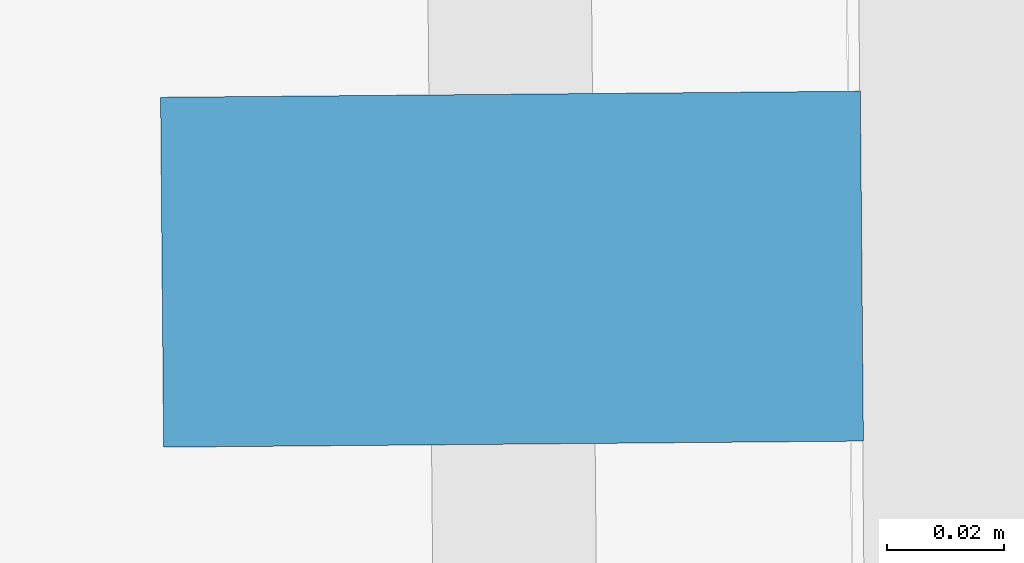
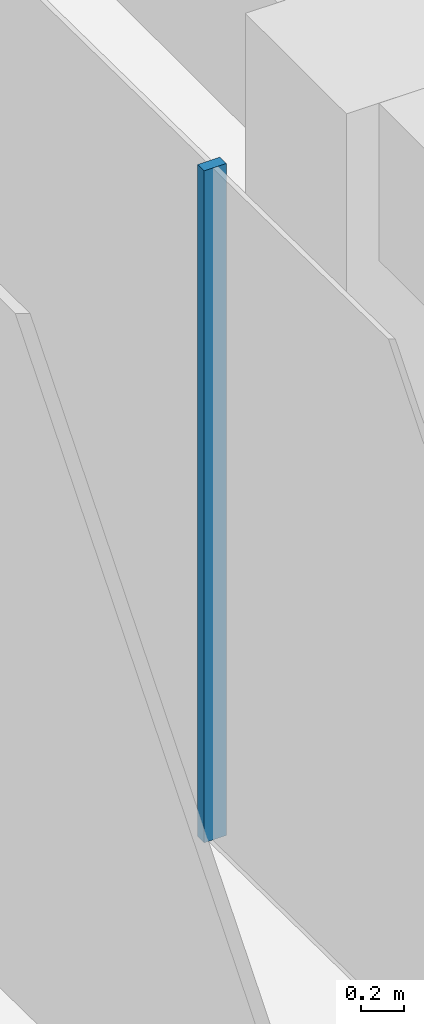
# One storey, part 14 of 28: 1 member, 1 element without a shape of its own.
"""IFC4 building model written with IfcOpenShell, lengths in metres."""

from ifc_helpers import new_model, si_unit, direction, frame, origin, origin_2d, place, context, subcontext, project, spatial, rectangle, extrude, material, layer, layer_set, material_profile, profile_set, type_object, element, aggregate, save


model = new_model("IFC4")

# Units and contexts
model_context = context("Model", 3, precision=1e-05, world=origin(), true_north=direction((0.0, 1.0)))
body_context = subcontext(model_context, "Body", "Model", "MODEL_VIEW")
ifc_project = project(units=[si_unit("LENGTHUNIT", "METRE"), si_unit("AREAUNIT", "SQUARE_METRE"), si_unit("VOLUMEUNIT", "CUBIC_METRE"), si_unit("PLANEANGLEUNIT", "RADIAN"), si_unit("MASSUNIT", "GRAM", prefix="KILO")], contexts=[model_context])

# Site, building, storey
site_placement = place(None, origin())
site = spatial("IfcSite", under=ifc_project, at=site_placement, CompositionType="ELEMENT")
building_placement = place(site_placement, origin())
building = spatial("IfcBuilding", under=site, at=building_placement, Name="Welwitschia Terrace Campus", CompositionType="ELEMENT")
storey_placement = place(building_placement, frame((0.0, 0.0, 54.199951171875)))
storey = spatial("IfcBuildingStorey", under=building, at=storey_placement, Name="L12", CompositionType="ELEMENT", Elevation=54.199951171875)

# Curtain wall, member
ifc_material_1 = material(Name="Bronze anodised aluminium", Category="aluminium")
ifc_layer = layer(ifc_material_1, 0.1201171875)
ifc_layer_set = layer_set([ifc_layer], Name="Bronze anodised aluminium")
curtain_wall_type = type_object("IfcCurtainWallType", Name="Curtain wall CW2 tower 6000", PredefinedType="NOTDEFINED", material=ifc_layer_set)
curtain_wall_placement = place(storey_placement, origin())
curtain_wall = element("IfcCurtainWall", 1, at=curtain_wall_placement, inside=storey, type_object=curtain_wall_type, Name="CW L12.0.0", PredefinedType="NOTDEFINED")
ifc_material_2 = material(Name="Bronze anodised aluminium", Category="aluminium")
ifc_material_profile = material_profile(ifc_material_2, rectangle(XDim=0.1201171875, YDim=0.06005859375, at=origin_2d()))
ifc_profile_set = profile_set([ifc_material_profile], Name="Bronze anodised aluminium")
member_type = type_object("IfcMemberType", Name="Mullion 60x120", PredefinedType="MULLION", material=ifc_profile_set)
member_placement = place(storey_placement, frame((-1.2265625, 43.4853515625, 0.0), z_axis=(0.0, 0.0, 1.0), x_axis=(0.999961923064, 0.008726535498, 0.0)))
member = element("IfcMember", 2, at=member_placement, type_object=member_type, Name="Mullion L12.0.0.3", PredefinedType="MULLION", context=body_context, shape_type="SweptSolid", body=[
    extrude(rectangle(XDim=0.1201171875, YDim=0.06005859375, at=origin_2d()), origin(), (0.0, 0.0, 1.0), 3.85009765625),
])
aggregate(curtain_wall, [member])

save(model, "model.ifc")
